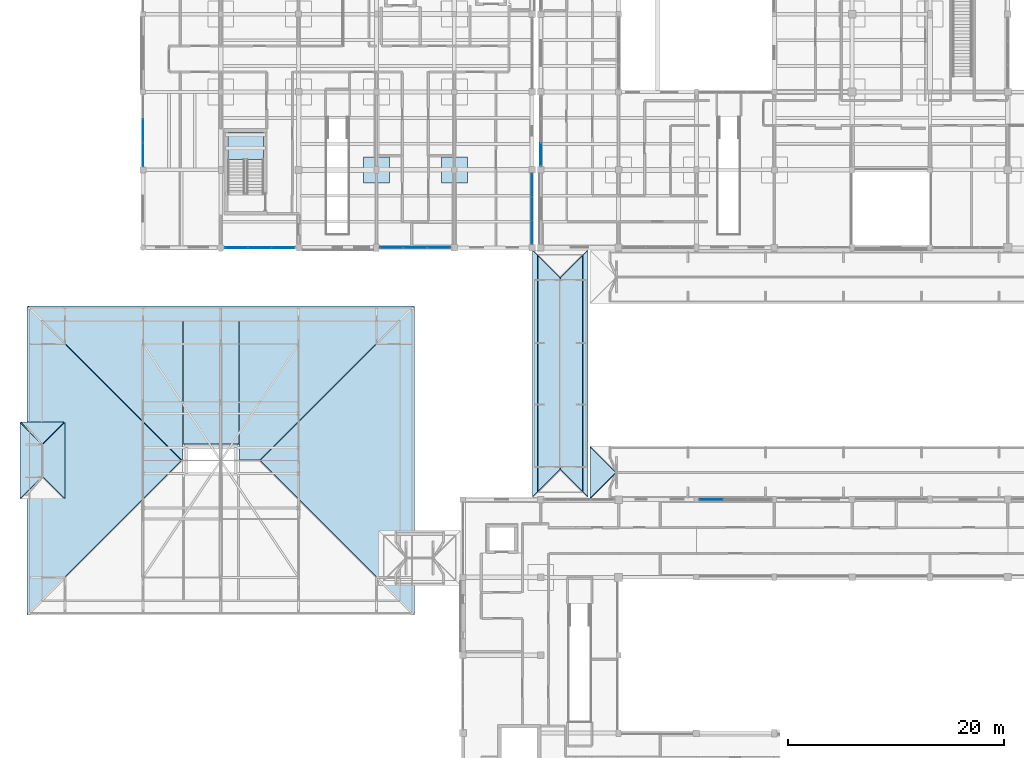
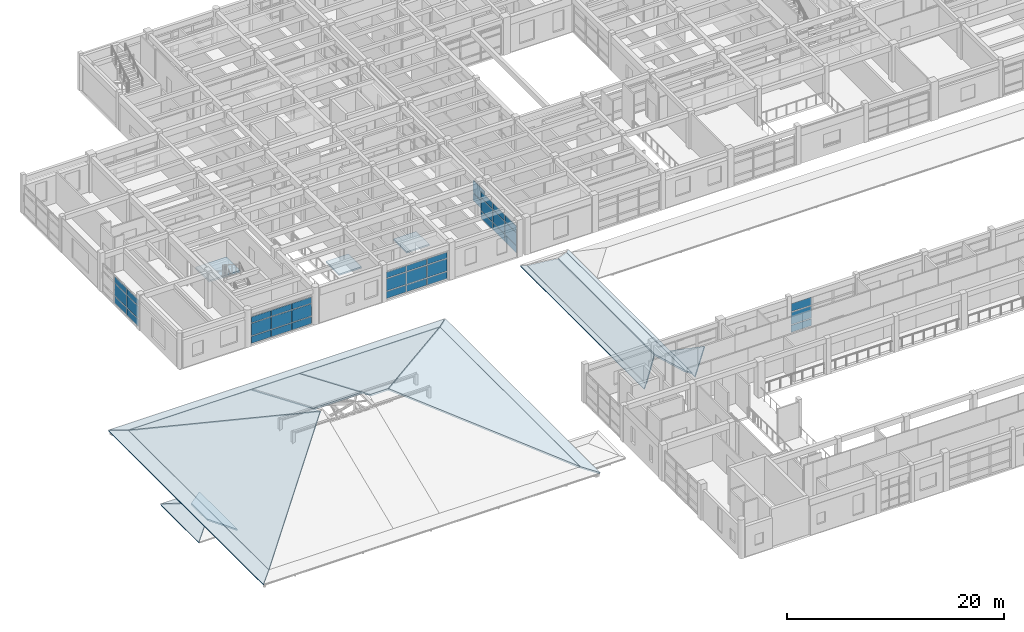
# One storey, part 59 of 110: 38 plates, 19 slabs, 11 elements without a shape of their own.
"""IFC4 building model written with IfcOpenShell, lengths in metres."""

import ifcopenshell
import ifcopenshell.guid

model = None  # the IFC model being written
_history = None  # IfcOwnerHistory: only IFC2X3 demands one
_inside = {}  # id of a spatial element -> (the spatial element, [elements in it])
_under = {}  # id of a project, library or spatial element -> (it, [spatial elements below it])
_declared = {}  # id of a project -> (the project, [libraries it declares])
_typed = {}  # id of a type object -> (the type object, [elements of that type])
_made_of = {}  # id of a material, layer set ... -> (it, [elements and type objects made of it])


def new_model(schema):
    """Start an empty IFC model of exactly this schema.

    Asked for "IFC4X3", IfcOpenShell would pick the latest addendum, in which some entities
    have other attributes; the version numbers below select the first issue.
    IFC2X3 requires an IfcOwnerHistory on every rooted entity: one is made here for all.
    """
    global model, _history
    if schema == "IFC4X3":
        model = ifcopenshell.file(schema_version=(4, 3, 0, 0))
    else:
        model = ifcopenshell.file(schema=schema)
    _inside.clear()
    _under.clear()
    _declared.clear()
    _typed.clear()
    _made_of.clear()
    _history = None
    if model.schema == "IFC2X3":
        org = make("IfcOrganization", Name="unknown")
        user = make(
            "IfcPersonAndOrganization",
            ThePerson=make("IfcPerson", FamilyName="unknown"),
            TheOrganization=org,
        )
        app = make(
            "IfcApplication",
            ApplicationDeveloper=org,
            Version="unknown",
            ApplicationFullName="unknown",
            ApplicationIdentifier="unknown",
        )
        _history = make(
            "IfcOwnerHistory",
            OwningUser=user,
            OwningApplication=app,
            ChangeAction="ADDED",
            CreationDate=0,
        )
    return model


def make(cls, **values):
    """One entity of the class cls with the attributes given. An attribute that is None is left unset."""
    return model.create_entity(
        cls, **{name: value for name, value in values.items() if value is not None}
    )


def rooted(cls, **values):
    """An entity with a GlobalId (a new one), such as an element, a storey or a relation."""
    return make(cls, GlobalId=ifcopenshell.guid.new(), OwnerHistory=_history, **values)


def si_unit(unit_type, name, prefix=None):
    """IfcSIUnit, for example si_unit("LENGTHUNIT", "METRE", prefix="MILLI")."""
    return make("IfcSIUnit", UnitType=unit_type, Prefix=prefix, Name=name)


def assignment(units):
    """IfcUnitAssignment: the units of a project."""
    return None if units is None else make("IfcUnitAssignment", Units=units)


def point(xyz):
    """IfcCartesianPoint."""
    return None if xyz is None else make("IfcCartesianPoint", Coordinates=xyz)


def direction(xyz):
    """IfcDirection."""
    return None if xyz is None else make("IfcDirection", DirectionRatios=xyz)


def frame(location, z_axis=None, x_axis=None):
    """IfcAxis2Placement3D, a coordinate frame: its origin and axes. An axis left out is left unset."""
    return make(
        "IfcAxis2Placement3D",
        Location=point(location),
        Axis=direction(z_axis),
        RefDirection=direction(x_axis),
    )


def frame_2d(location, x_axis=None):
    """IfcAxis2Placement2D, a coordinate frame in the plane: its origin and x axis."""
    return make(
        "IfcAxis2Placement2D", Location=point(location), RefDirection=direction(x_axis)
    )


def origin():
    """The frame at (0, 0, 0) with its axes left unset."""
    return frame((0.0, 0.0, 0.0))


def origin_2d():
    """The frame at (0, 0) in the plane with its x axis left unset."""
    return frame_2d((0.0, 0.0))


def place(relative_to, where):
    """IfcLocalPlacement: puts the frame where relative to a parent placement (None: the world)."""
    return make(
        "IfcLocalPlacement", PlacementRelTo=relative_to, RelativePlacement=where
    )


def context(
    kind, dimensions, precision=None, world=None, true_north=None, identifier=None
):
    """IfcGeometricRepresentationContext, for example the 3D "Model" context."""
    return make(
        "IfcGeometricRepresentationContext",
        ContextIdentifier=identifier,
        ContextType=kind,
        CoordinateSpaceDimension=dimensions,
        Precision=precision,
        WorldCoordinateSystem=world,
        TrueNorth=true_north,
    )


def subcontext(parent, identifier, kind, view, scale=None):
    """IfcGeometricRepresentationSubContext, for example "Body" below "Model"."""
    return make(
        "IfcGeometricRepresentationSubContext",
        ContextIdentifier=identifier,
        ContextType=kind,
        ParentContext=parent,
        TargetScale=scale,
        TargetView=view,
    )


def project(units=None, contexts=None):
    """IfcProject with its units and contexts."""
    return rooted(
        "IfcProject",
        Name="project",
        RepresentationContexts=contexts,
        UnitsInContext=assignment(units),
    )


def spatial(cls, under=None, at=None, **own):
    """A site, building, storey or space (cls), placed at a placement, below another one or the project."""
    s = rooted(cls, ObjectPlacement=at, **own)
    if under is not None:
        _under.setdefault(under.id(), (under, []))[1].append(s)
    return s


def polyline(points):
    """IfcPolyline through the points."""
    return make("IfcPolyline", Points=[point(p) for p in points])


def profile(cls, at=None, kind="AREA", **sizes):
    """A parametric profile (cls). Its sizes go by their IFC names, for example OverallWidth=200.0."""
    return make(cls, ProfileType=kind, Position=at, **sizes)


def rectangle(**sizes):
    """IfcRectangleProfileDef."""
    return profile("IfcRectangleProfileDef", **sizes)


def outline(outer, holes=None, kind="AREA"):
    """IfcArbitraryClosedProfileDef: a profile drawn as a closed curve; with holes, ...WithVoids."""
    if holes is None:
        return make("IfcArbitraryClosedProfileDef", ProfileType=kind, OuterCurve=outer)
    return make(
        "IfcArbitraryProfileDefWithVoids",
        ProfileType=kind,
        OuterCurve=outer,
        InnerCurves=holes,
    )


def extrude(swept, where, along, depth):
    """IfcExtrudedAreaSolid: the profile swept, set in the frame where, extruded along a direction by depth."""
    return make(
        "IfcExtrudedAreaSolid",
        SweptArea=swept,
        Position=where,
        ExtrudedDirection=direction(along),
        Depth=depth,
    )


def shape(context_of_items, identifier, shape_type, items):
    """IfcShapeRepresentation: the items that make up one representation, for example the "Body"."""
    return make(
        "IfcShapeRepresentation",
        ContextOfItems=context_of_items,
        RepresentationIdentifier=identifier,
        RepresentationType=shape_type,
        Items=items,
    )


def material(Name=None, Category=None):
    """IfcMaterial."""
    return make("IfcMaterial", Name=Name, Category=Category)


def layer(
    of_material, thickness, ventilated=None, Name=None, Category=None, Priority=None
):
    """IfcMaterialLayer: one layer of a wall or slab, of a material (None: an air gap)."""
    return make(
        "IfcMaterialLayer",
        Material=of_material,
        LayerThickness=thickness,
        IsVentilated=ventilated,
        Name=Name,
        Category=Category,
        Priority=Priority,
    )


def layer_set(layers, Name=None):
    """IfcMaterialLayerSet."""
    return make("IfcMaterialLayerSet", MaterialLayers=layers, LayerSetName=Name)


def made_of(thing, what):
    """Note that an element or type object is made of a material, layer set ...; save() writes the relation."""
    if what is not None:
        _made_of.setdefault(what.id(), (what, []))[1].append(thing)
    return thing


def type_object(cls, material=None, **own):
    """A type object (cls), such as IfcWallType, which elements share."""
    return made_of(rooted(cls, **own), material)


def element(
    cls,
    number,
    at=None,
    inside=None,
    cuts=None,
    type_object=None,
    material=None,
    context=None,
    identifier="Body",
    shape_type=None,
    held_by="IfcProductDefinitionShape",
    body=None,
    shapes=None,
    **own,
):
    """One element of the class cls, such as IfcWall. Its Tag is "e" and its number.

    at: its placement. inside: the storey or other place that contains it. cuts: it is an
    opening in that element (IfcRelVoidsElement). A single representation is given by context,
    identifier, shape_type and body (its items); several are given by shapes. held_by: the class
    of the entity that holds the representations. save() writes the other relations.
    """
    e = rooted(cls, Tag="e%d" % number, ObjectPlacement=at, **own)
    if body is not None:
        shapes = [shape(context, identifier, shape_type, body)]
    if shapes is not None:
        e.Representation = make(held_by, Representations=shapes)
    if inside is not None:
        _inside.setdefault(inside.id(), (inside, []))[1].append(e)
    if cuts is not None:
        rooted(
            "IfcRelVoidsElement", RelatingBuildingElement=cuts, RelatedOpeningElement=e
        )
    if type_object is not None:
        _typed.setdefault(type_object.id(), (type_object, []))[1].append(e)
    return made_of(e, material)


def aggregate(whole, parts):
    """IfcRelAggregates: a whole, such as a stair, and the parts it consists of."""
    return rooted("IfcRelAggregates", RelatingObject=whole, RelatedObjects=parts)


def save(model, path):
    """Write the relations noted so far, then the file.

    IfcRelAggregates (storeys below a building ...), IfcRelContainedInSpatialStructure (elements
    in a storey), IfcRelDefinesByType, IfcRelAssociatesMaterial and IfcRelDeclares: one each for
    every whole, place, type object, material and project.
    """
    for whole, parts in _under.values():
        aggregate(whole, parts)
    for where, things in _inside.values():
        rooted(
            "IfcRelContainedInSpatialStructure",
            RelatedElements=things,
            RelatingStructure=where,
        )
    for kind, things in _typed.values():
        rooted("IfcRelDefinesByType", RelatedObjects=things, RelatingType=kind)
    for what, things in _made_of.values():
        rooted("IfcRelAssociatesMaterial", RelatedObjects=things, RelatingMaterial=what)
    for by, libraries in _declared.values():
        rooted("IfcRelDeclares", RelatingContext=by, RelatedDefinitions=libraries)
    model.write(path)


model = new_model("IFC4")

# Units and contexts
model_context = context("Model", 3, precision=1e-05, world=origin(), true_north=direction((0.0, 1.0)))
body_context = subcontext(model_context, "Body", "Model", "MODEL_VIEW")
ifc_project = project(units=[si_unit("LENGTHUNIT", "METRE"), si_unit("AREAUNIT", "SQUARE_METRE"), si_unit("VOLUMEUNIT", "CUBIC_METRE"), si_unit("PLANEANGLEUNIT", "RADIAN"), si_unit("MASSUNIT", "GRAM", prefix="KILO")], contexts=[model_context])

# Site, building, storey
site_placement = place(None, origin())
site = spatial("IfcSite", under=ifc_project, at=site_placement, CompositionType="ELEMENT")
building_placement = place(site_placement, origin())
building = spatial("IfcBuilding", under=site, at=building_placement, Name="Steenspoor Specialist Clinic", CompositionType="ELEMENT")
storey_placement = place(building_placement, frame((0.0, 0.0, 4.800048828125)))
storey = spatial("IfcBuildingStorey", under=building, at=storey_placement, Name="L01", CompositionType="ELEMENT", Elevation=4.800048828125)

# Curtain wall, plates
ifc_material_1 = material(Name="Thermally broken aluminium and low-emissivity glass", Category="aluminium")
curtain_wall_type_1 = type_object("IfcCurtainWallType", Name="CW-STR-220X415", PredefinedType="USERDEFINED", material=ifc_material_1)
curtain_wall_1_placement = place(storey_placement, origin())
curtain_wall_1 = element("IfcCurtainWall", 1, at=curtain_wall_1_placement, inside=storey, type_object=curtain_wall_type_1, Name="Unitised Curtain Wall CW-V1-L01-024", ObjectType="UNITISED GLAZING", PredefinedType="USERDEFINED")
ifc_material_2 = material(Name="Double low-emissivity insulated glass", Category="glass")
ifc_layer_1 = layer(ifc_material_2, 0.035888671875)
ifc_layer_set_1 = layer_set([ifc_layer_1], Name="Double low-emissivity insulated glass")
plate_type_1 = type_object("IfcPlateType", Name="CW-PAN-GL36", PredefinedType="CURTAIN_PANEL", material=ifc_layer_set_1)
plate_1_placement = place(storey_placement, frame((68.174072265625, 41.85009765625, 0.08984375), z_axis=(0.0, 0.0, 1.0), x_axis=(1.0, 0.0, 0.0)))
plate_1 = element("IfcPlate", 2, at=plate_1_placement, type_object=plate_type_1, Name="CW-24 panel 1.1", PredefinedType="CURTAIN_PANEL", context=body_context, shape_type="SweptSolid", body=[
    extrude(rectangle(XDim=2.138427734375, YDim=0.035888671875, at=origin_2d()), origin(), (0.0, 0.0, 1.0), 0.764892578125),
])
plate_2_placement = place(storey_placement, frame((68.174072265625, 41.85009765625, 0.94482421875), z_axis=(0.0, 0.0, 1.0), x_axis=(1.0, 0.0, 0.0)))
plate_2 = element("IfcPlate", 3, at=plate_2_placement, type_object=plate_type_1, Name="CW-24 panel 1.2", PredefinedType="CURTAIN_PANEL", context=body_context, shape_type="SweptSolid", body=[
    extrude(rectangle(XDim=2.138427734375, YDim=0.035888671875, at=origin_2d()), origin(), (0.0, 0.0, 1.0), 1.360107421875),
])
plate_3_placement = place(storey_placement, frame((68.174072265625, 41.85009765625, 2.39501953125), z_axis=(0.0, 0.0, 1.0), x_axis=(1.0, 0.0, 0.0)))
plate_3 = element("IfcPlate", 4, at=plate_3_placement, type_object=plate_type_1, Name="CW-24 panel 1.3", PredefinedType="CURTAIN_PANEL", context=body_context, shape_type="SweptSolid", body=[
    extrude(rectangle(XDim=2.138427734375, YDim=0.035888671875, at=origin_2d()), origin(), (0.0, 0.0, 1.0), 0.89501953125),
])
aggregate(curtain_wall_1, [plate_1, plate_2, plate_3])

curtain_wall_type_2 = type_object("IfcCurtainWallType", Name="CW-WLK-520X340", PredefinedType="USERDEFINED", material=ifc_material_1)
curtain_wall_2_placement = place(storey_placement, origin())
curtain_wall_2 = element("IfcCurtainWall", 5, at=curtain_wall_2_placement, inside=storey, type_object=curtain_wall_type_2, Name="Unitised Curtain Wall CW-V5-L01-141", ObjectType="UNITISED GLAZING", PredefinedType="USERDEFINED")
plate_4_placement = place(storey_placement, frame((15.60009765625, 73.753662109375, 0.070068359375), z_axis=(0.0, 0.0, 1.0), x_axis=(0.0, 1.0, 0.0)))
plate_4 = element("IfcPlate", 6, at=plate_4_placement, type_object=plate_type_1, Name="CW-21 panel 1.1", PredefinedType="CURTAIN_PANEL", context=body_context, shape_type="SweptSolid", body=[
    extrude(rectangle(XDim=2.12744140625, YDim=0.035888671875, at=origin_2d()), origin(), (0.0, 0.0, 1.0), 0.794921875),
])
plate_5_placement = place(storey_placement, frame((15.60009765625, 73.753662109375, 0.93505859375), z_axis=(0.0, 0.0, 1.0), x_axis=(0.0, 1.0, 0.0)))
plate_5 = element("IfcPlate", 7, at=plate_5_placement, type_object=plate_type_1, Name="CW-21 panel 1.2", PredefinedType="CURTAIN_PANEL", context=body_context, shape_type="SweptSolid", body=[
    extrude(rectangle(XDim=2.12744140625, YDim=0.035888671875, at=origin_2d()), origin(), (0.0, 0.0, 1.0), 1.3798828125),
])
plate_6_placement = place(storey_placement, frame((15.60009765625, 73.753662109375, 2.384765625), z_axis=(0.0, 0.0, 1.0), x_axis=(0.0, 1.0, 0.0)))
plate_6 = element("IfcPlate", 8, at=plate_6_placement, type_object=plate_type_1, Name="CW-21 panel 1.3", PredefinedType="CURTAIN_PANEL", context=body_context, shape_type="SweptSolid", body=[
    extrude(rectangle(XDim=2.12744140625, YDim=0.035888671875, at=origin_2d()), origin(), (0.0, 0.0, 1.0), 0.675048828125),
])
plate_7_placement = place(storey_placement, frame((15.60009765625, 75.96240234375, 0.070068359375), z_axis=(0.0, 0.0, 1.0), x_axis=(0.0, 1.0, 0.0)))
plate_7 = element("IfcPlate", 9, at=plate_7_placement, type_object=plate_type_1, Name="CW-21 panel 2.1", PredefinedType="CURTAIN_PANEL", context=body_context, shape_type="SweptSolid", body=[
    extrude(rectangle(XDim=2.159912109375, YDim=0.035888671875, at=origin_2d()), origin(), (0.0, 0.0, 1.0), 0.794921875),
])
plate_8_placement = place(storey_placement, frame((15.60009765625, 75.96240234375, 0.93505859375), z_axis=(0.0, 0.0, 1.0), x_axis=(0.0, 1.0, 0.0)))
plate_8 = element("IfcPlate", 10, at=plate_8_placement, type_object=plate_type_1, Name="CW-21 panel 2.2", PredefinedType="CURTAIN_PANEL", context=body_context, shape_type="SweptSolid", body=[
    extrude(rectangle(XDim=2.159912109375, YDim=0.035888671875, at=origin_2d()), origin(), (0.0, 0.0, 1.0), 1.3798828125),
])
plate_9_placement = place(storey_placement, frame((15.60009765625, 75.96240234375, 2.384765625), z_axis=(0.0, 0.0, 1.0), x_axis=(0.0, 1.0, 0.0)))
plate_9 = element("IfcPlate", 11, at=plate_9_placement, type_object=plate_type_1, Name="CW-21 panel 2.3", PredefinedType="CURTAIN_PANEL", context=body_context, shape_type="SweptSolid", body=[
    extrude(rectangle(XDim=2.159912109375, YDim=0.035888671875, at=origin_2d()), origin(), (0.0, 0.0, 1.0), 0.675048828125),
])
aggregate(curtain_wall_2, [plate_4, plate_5, plate_6, plate_7, plate_8, plate_9])

curtain_wall_type_3 = type_object("IfcCurtainWallType", Name="CW-SCR-360X320", PredefinedType="USERDEFINED", material=ifc_material_1)
curtain_wall_3_placement = place(storey_placement, origin())
curtain_wall_3 = element("IfcCurtainWall", 12, at=curtain_wall_3_placement, inside=storey, type_object=curtain_wall_type_3, Name="Unitised Curtain Wall CW-V5-L01-139", ObjectType="UNITISED GLAZING", PredefinedType="USERDEFINED")
ifc_material_3 = material(Name="Triple acoustic laminated low-emissivity glass", Category="glass")
ifc_layer_2 = layer(ifc_material_3, 0.048095703125)
ifc_layer_set_2 = layer_set([ifc_layer_2], Name="Triple acoustic laminated low-emissivity glass")
plate_type_2 = type_object("IfcPlateType", Name="CW-PAN-GL48", PredefinedType="CURTAIN_PANEL", material=ifc_layer_set_2)
plate_10_placement = place(storey_placement, frame((42.9716796875, 65.14990234375, 0.08984375), z_axis=(0.0, 0.0, 1.0), x_axis=(-1.0, 0.0, 0.0)))
plate_10 = element("IfcPlate", 13, at=plate_10_placement, type_object=plate_type_2, Name="CW-19 panel 1.1", PredefinedType="CURTAIN_PANEL", context=body_context, shape_type="SweptSolid", body=[
    extrude(rectangle(XDim=2.0966796875, YDim=0.048095703125, at=origin_2d()), origin(), (0.0, 0.0, 1.0), 0.764892578125),
])
plate_11_placement = place(storey_placement, frame((42.9716796875, 65.14990234375, 0.94482421875), z_axis=(0.0, 0.0, 1.0), x_axis=(-1.0, 0.0, 0.0)))
plate_11 = element("IfcPlate", 14, at=plate_11_placement, type_object=plate_type_2, Name="CW-19 panel 1.2", PredefinedType="CURTAIN_PANEL", context=body_context, shape_type="SweptSolid", body=[
    extrude(rectangle(XDim=2.0966796875, YDim=0.048095703125, at=origin_2d()), origin(), (0.0, 0.0, 1.0), 1.360107421875),
])
plate_12_placement = place(storey_placement, frame((42.9716796875, 65.14990234375, 2.39501953125), z_axis=(0.0, 0.0, 1.0), x_axis=(-1.0, 0.0, 0.0)))
plate_12 = element("IfcPlate", 15, at=plate_12_placement, type_object=plate_type_2, Name="CW-19 panel 1.3", PredefinedType="CURTAIN_PANEL", context=body_context, shape_type="SweptSolid", body=[
    extrude(rectangle(XDim=2.0966796875, YDim=0.048095703125, at=origin_2d()), origin(), (0.0, 0.0, 1.0), 0.64501953125),
])
plate_13_placement = place(storey_placement, frame((40.77490234375, 65.14990234375, 0.08984375), z_axis=(0.0, 0.0, 1.0), x_axis=(-1.0, 0.0, 0.0)))
plate_13 = element("IfcPlate", 16, at=plate_13_placement, type_object=plate_type_2, Name="CW-19 panel 2.1", PredefinedType="CURTAIN_PANEL", context=body_context, shape_type="SweptSolid", body=[
    extrude(rectangle(XDim=2.13671875, YDim=0.048095703125, at=origin_2d()), origin(), (0.0, 0.0, 1.0), 0.764892578125),
])
plate_14_placement = place(storey_placement, frame((40.77490234375, 65.14990234375, 0.94482421875), z_axis=(0.0, 0.0, 1.0), x_axis=(-1.0, 0.0, 0.0)))
plate_14 = element("IfcPlate", 17, at=plate_14_placement, type_object=plate_type_2, Name="CW-19 panel 2.2", PredefinedType="CURTAIN_PANEL", context=body_context, shape_type="SweptSolid", body=[
    extrude(rectangle(XDim=2.13671875, YDim=0.048095703125, at=origin_2d()), origin(), (0.0, 0.0, 1.0), 1.360107421875),
])
plate_15_placement = place(storey_placement, frame((40.77490234375, 65.14990234375, 2.39501953125), z_axis=(0.0, 0.0, 1.0), x_axis=(-1.0, 0.0, 0.0)))
plate_15 = element("IfcPlate", 18, at=plate_15_placement, type_object=plate_type_2, Name="CW-19 panel 2.3", PredefinedType="CURTAIN_PANEL", context=body_context, shape_type="SweptSolid", body=[
    extrude(rectangle(XDim=2.13671875, YDim=0.048095703125, at=origin_2d()), origin(), (0.0, 0.0, 1.0), 0.64501953125),
])
plate_16_placement = place(storey_placement, frame((38.578369140625, 65.14990234375, 0.08984375), z_axis=(0.0, 0.0, 1.0), x_axis=(-1.0, 0.0, 0.0)))
plate_16 = element("IfcPlate", 19, at=plate_16_placement, type_object=plate_type_2, Name="CW-19 panel 3.1", PredefinedType="CURTAIN_PANEL", context=body_context, shape_type="SweptSolid", body=[
    extrude(rectangle(XDim=2.0966796875, YDim=0.048095703125, at=origin_2d()), origin(), (0.0, 0.0, 1.0), 0.764892578125),
])
plate_17_placement = place(storey_placement, frame((38.578369140625, 65.14990234375, 0.94482421875), z_axis=(0.0, 0.0, 1.0), x_axis=(-1.0, 0.0, 0.0)))
plate_17 = element("IfcPlate", 20, at=plate_17_placement, type_object=plate_type_2, Name="CW-19 panel 3.2", PredefinedType="CURTAIN_PANEL", context=body_context, shape_type="SweptSolid", body=[
    extrude(rectangle(XDim=2.0966796875, YDim=0.048095703125, at=origin_2d()), origin(), (0.0, 0.0, 1.0), 1.360107421875),
])
plate_18_placement = place(storey_placement, frame((38.578369140625, 65.14990234375, 2.39501953125), z_axis=(0.0, 0.0, 1.0), x_axis=(-1.0, 0.0, 0.0)))
plate_18 = element("IfcPlate", 21, at=plate_18_placement, type_object=plate_type_2, Name="CW-19 panel 3.3", PredefinedType="CURTAIN_PANEL", context=body_context, shape_type="SweptSolid", body=[
    extrude(rectangle(XDim=2.0966796875, YDim=0.048095703125, at=origin_2d()), origin(), (0.0, 0.0, 1.0), 0.64501953125),
])
aggregate(curtain_wall_3, [plate_10, plate_11, plate_12, plate_13, plate_14, plate_15, plate_16, plate_17, plate_18])

curtain_wall_type_4 = type_object("IfcCurtainWallType", Name="CW-L00-660X415", PredefinedType="USERDEFINED", material=ifc_material_1)
curtain_wall_4_placement = place(storey_placement, origin())
curtain_wall_4 = element("IfcCurtainWall", 22, at=curtain_wall_4_placement, inside=storey, type_object=curtain_wall_type_4, Name="Unitised Curtain Wall CW-V5-L01-148", ObjectType="UNITISED GLAZING", PredefinedType="USERDEFINED")
plate_19_placement = place(storey_placement, frame((51.60009765625, 70.93505859375, 0.059814453125), z_axis=(0.0, 0.0, 1.0), x_axis=(0.0, -1.0, 0.0)))
plate_19 = element("IfcPlate", 23, at=plate_19_placement, type_object=plate_type_2, Name="CW-04 panel 1.1", PredefinedType="CURTAIN_PANEL", context=body_context, shape_type="SweptSolid", body=[
    extrude(rectangle(XDim=2.110107421875, YDim=0.048095703125, at=origin_2d()), origin(), (0.0, 0.0, 1.0), 0.81005859375),
])
plate_20_placement = place(storey_placement, frame((51.60009765625, 70.93505859375, 0.93017578125), z_axis=(0.0, 0.0, 1.0), x_axis=(0.0, -1.0, 0.0)))
plate_20 = element("IfcPlate", 24, at=plate_20_placement, type_object=plate_type_2, Name="CW-04 panel 1.2", PredefinedType="CURTAIN_PANEL", context=body_context, shape_type="SweptSolid", body=[
    extrude(rectangle(XDim=2.110107421875, YDim=0.048095703125, at=origin_2d()), origin(), (0.0, 0.0, 1.0), 1.389892578125),
])
plate_21_placement = place(storey_placement, frame((51.60009765625, 70.93505859375, 2.3798828125), z_axis=(0.0, 0.0, 1.0), x_axis=(0.0, -1.0, 0.0)))
plate_21 = element("IfcPlate", 25, at=plate_21_placement, type_object=plate_type_2, Name="CW-04 panel 1.3", PredefinedType="CURTAIN_PANEL", context=body_context, shape_type="SweptSolid", body=[
    extrude(rectangle(XDim=2.110107421875, YDim=0.048095703125, at=origin_2d()), origin(), (0.0, 0.0, 1.0), 0.68994140625),
])
plate_22_placement = place(storey_placement, frame((51.60009765625, 68.75, 0.059814453125), z_axis=(0.0, 0.0, 1.0), x_axis=(0.0, -1.0, 0.0)))
plate_22 = element("IfcPlate", 26, at=plate_22_placement, type_object=plate_type_2, Name="CW-04 panel 2.1", PredefinedType="CURTAIN_PANEL", context=body_context, shape_type="SweptSolid", body=[
    extrude(rectangle(XDim=2.139892578125, YDim=0.048095703125, at=origin_2d()), origin(), (0.0, 0.0, 1.0), 0.81005859375),
])
plate_23_placement = place(storey_placement, frame((51.60009765625, 68.75, 0.93017578125), z_axis=(0.0, 0.0, 1.0), x_axis=(0.0, -1.0, 0.0)))
plate_23 = element("IfcPlate", 27, at=plate_23_placement, type_object=plate_type_2, Name="CW-04 panel 2.2", PredefinedType="CURTAIN_PANEL", context=body_context, shape_type="SweptSolid", body=[
    extrude(rectangle(XDim=2.139892578125, YDim=0.048095703125, at=origin_2d()), origin(), (0.0, 0.0, 1.0), 1.389892578125),
])
plate_24_placement = place(storey_placement, frame((51.60009765625, 68.75, 2.3798828125), z_axis=(0.0, 0.0, 1.0), x_axis=(0.0, -1.0, 0.0)))
plate_24 = element("IfcPlate", 28, at=plate_24_placement, type_object=plate_type_2, Name="CW-04 panel 2.3", PredefinedType="CURTAIN_PANEL", context=body_context, shape_type="SweptSolid", body=[
    extrude(rectangle(XDim=2.139892578125, YDim=0.048095703125, at=origin_2d()), origin(), (0.0, 0.0, 1.0), 0.68994140625),
])
plate_25_placement = place(storey_placement, frame((51.60009765625, 66.56494140625, 0.059814453125), z_axis=(0.0, 0.0, 1.0), x_axis=(0.0, -1.0, 0.0)))
plate_25 = element("IfcPlate", 29, at=plate_25_placement, type_object=plate_type_2, Name="CW-04 panel 3.1", PredefinedType="CURTAIN_PANEL", context=body_context, shape_type="SweptSolid", body=[
    extrude(rectangle(XDim=2.110107421875, YDim=0.048095703125, at=origin_2d()), origin(), (0.0, 0.0, 1.0), 0.81005859375),
])
plate_26_placement = place(storey_placement, frame((51.60009765625, 66.56494140625, 0.93017578125), z_axis=(0.0, 0.0, 1.0), x_axis=(0.0, -1.0, 0.0)))
plate_26 = element("IfcPlate", 30, at=plate_26_placement, type_object=plate_type_2, Name="CW-04 panel 3.2", PredefinedType="CURTAIN_PANEL", context=body_context, shape_type="SweptSolid", body=[
    extrude(rectangle(XDim=2.110107421875, YDim=0.048095703125, at=origin_2d()), origin(), (0.0, 0.0, 1.0), 1.389892578125),
])
plate_27_placement = place(storey_placement, frame((51.60009765625, 66.56494140625, 2.3798828125), z_axis=(0.0, 0.0, 1.0), x_axis=(0.0, -1.0, 0.0)))
plate_27 = element("IfcPlate", 31, at=plate_27_placement, type_object=plate_type_2, Name="CW-04 panel 3.3", PredefinedType="CURTAIN_PANEL", context=body_context, shape_type="SweptSolid", body=[
    extrude(rectangle(XDim=2.110107421875, YDim=0.048095703125, at=origin_2d()), origin(), (0.0, 0.0, 1.0), 0.68994140625),
])
aggregate(curtain_wall_4, [plate_19, plate_20, plate_21, plate_22, plate_23, plate_24, plate_25, plate_26, plate_27])

curtain_wall_type_5 = type_object("IfcCurtainWallType", Name="CW-SCR-660X320", PredefinedType="USERDEFINED", material=ifc_material_1)
curtain_wall_5_placement = place(storey_placement, origin())
curtain_wall_5 = element("IfcCurtainWall", 32, at=curtain_wall_5_placement, inside=storey, type_object=curtain_wall_type_5, Name="Unitised Curtain Wall CW-V4-L01-065", ObjectType="UNITISED GLAZING", PredefinedType="USERDEFINED")
ifc_material_4 = material(Name="Insulated glazed ceramic spandrel panel", Category="glass")
ifc_layer_3 = layer(ifc_material_4, 0.074951171875)
ifc_layer_set_3 = layer_set([ifc_layer_3], Name="Insulated glazed ceramic spandrel panel")
plate_type_3 = type_object("IfcPlateType", Name="CW-PAN-SP75", PredefinedType="CURTAIN_PANEL", material=ifc_layer_set_3)
plate_28_placement = place(storey_placement, frame((52.39990234375, 73.7724609375, 0.080078125), z_axis=(0.0, 0.0, 1.0), x_axis=(0.0, 1.0, 0.0)))
plate_28 = element("IfcPlate", 33, at=plate_28_placement, type_object=plate_type_3, Name="CW-17 panel 1.1", PredefinedType="CURTAIN_PANEL", context=body_context, shape_type="SweptSolid", body=[
    extrude(rectangle(XDim=2.06494140625, YDim=0.074951171875, at=origin_2d()), origin(), (0.0, 0.0, 1.0), 0.780029296875),
])
plate_29_placement = place(storey_placement, frame((52.39990234375, 73.7724609375, 0.93994140625), z_axis=(0.0, 0.0, 1.0), x_axis=(0.0, 1.0, 0.0)))
plate_29 = element("IfcPlate", 34, at=plate_29_placement, type_object=plate_type_3, Name="CW-17 panel 1.2", PredefinedType="CURTAIN_PANEL", context=body_context, shape_type="SweptSolid", body=[
    extrude(rectangle(XDim=2.06494140625, YDim=0.074951171875, at=origin_2d()), origin(), (0.0, 0.0, 1.0), 1.3701171875),
])
aggregate(curtain_wall_5, [plate_28, plate_29])

curtain_wall_type_6 = type_object("IfcCurtainWallType", Name="CW-WLK-640X340", PredefinedType="USERDEFINED", material=ifc_material_1)
curtain_wall_6_placement = place(storey_placement, origin())
curtain_wall_6 = element("IfcCurtainWall", 35, at=curtain_wall_6_placement, inside=storey, type_object=curtain_wall_type_6, Name="Unitised Curtain Wall CW-V5-L01-140", ObjectType="UNITISED GLAZING", PredefinedType="USERDEFINED")
plate_30_placement = place(storey_placement, frame((28.570068359375, 65.14990234375, 0.080078125), z_axis=(0.0, 0.0, 1.0), x_axis=(-1.0, 0.0, 0.0)))
plate_30 = element("IfcPlate", 36, at=plate_30_placement, type_object=plate_type_3, Name="CW-20 panel 1.1", PredefinedType="CURTAIN_PANEL", context=body_context, shape_type="SweptSolid", body=[
    extrude(rectangle(XDim=2.070068359375, YDim=0.074951171875, at=origin_2d()), origin(), (0.0, 0.0, 1.0), 0.780029296875),
])
plate_31_placement = place(storey_placement, frame((28.570068359375, 65.14990234375, 0.93994140625), z_axis=(0.0, 0.0, 1.0), x_axis=(-1.0, 0.0, 0.0)))
plate_31 = element("IfcPlate", 37, at=plate_31_placement, type_object=plate_type_3, Name="CW-20 panel 1.2", PredefinedType="CURTAIN_PANEL", context=body_context, shape_type="SweptSolid", body=[
    extrude(rectangle(XDim=2.070068359375, YDim=0.074951171875, at=origin_2d()), origin(), (0.0, 0.0, 1.0), 1.3701171875),
])
plate_32_placement = place(storey_placement, frame((28.570068359375, 65.14990234375, 2.39013671875), z_axis=(0.0, 0.0, 1.0), x_axis=(-1.0, 0.0, 0.0)))
plate_32 = element("IfcPlate", 38, at=plate_32_placement, type_object=plate_type_3, Name="CW-20 panel 1.3", PredefinedType="CURTAIN_PANEL", context=body_context, shape_type="SweptSolid", body=[
    extrude(rectangle(XDim=2.070068359375, YDim=0.074951171875, at=origin_2d()), origin(), (0.0, 0.0, 1.0), 0.659912109375),
])
plate_33_placement = place(storey_placement, frame((26.41259765625, 65.14990234375, 0.080078125), z_axis=(0.0, 0.0, 1.0), x_axis=(-1.0, 0.0, 0.0)))
plate_33 = element("IfcPlate", 39, at=plate_33_placement, type_object=plate_type_3, Name="CW-20 panel 2.1", PredefinedType="CURTAIN_PANEL", context=body_context, shape_type="SweptSolid", body=[
    extrude(rectangle(XDim=2.10498046875, YDim=0.074951171875, at=origin_2d()), origin(), (0.0, 0.0, 1.0), 0.780029296875),
])
plate_34_placement = place(storey_placement, frame((26.41259765625, 65.14990234375, 0.93994140625), z_axis=(0.0, 0.0, 1.0), x_axis=(-1.0, 0.0, 0.0)))
plate_34 = element("IfcPlate", 40, at=plate_34_placement, type_object=plate_type_3, Name="CW-20 panel 2.2", PredefinedType="CURTAIN_PANEL", context=body_context, shape_type="SweptSolid", body=[
    extrude(rectangle(XDim=2.10498046875, YDim=0.074951171875, at=origin_2d()), origin(), (0.0, 0.0, 1.0), 1.3701171875),
])
plate_35_placement = place(storey_placement, frame((26.41259765625, 65.14990234375, 2.39013671875), z_axis=(0.0, 0.0, 1.0), x_axis=(-1.0, 0.0, 0.0)))
plate_35 = element("IfcPlate", 41, at=plate_35_placement, type_object=plate_type_3, Name="CW-20 panel 2.3", PredefinedType="CURTAIN_PANEL", context=body_context, shape_type="SweptSolid", body=[
    extrude(rectangle(XDim=2.10498046875, YDim=0.074951171875, at=origin_2d()), origin(), (0.0, 0.0, 1.0), 0.659912109375),
])
plate_36_placement = place(storey_placement, frame((24.2548828125, 65.14990234375, 0.080078125), z_axis=(0.0, 0.0, 1.0), x_axis=(-1.0, 0.0, 0.0)))
plate_36 = element("IfcPlate", 42, at=plate_36_placement, type_object=plate_type_3, Name="CW-20 panel 3.1", PredefinedType="CURTAIN_PANEL", context=body_context, shape_type="SweptSolid", body=[
    extrude(rectangle(XDim=2.070068359375, YDim=0.074951171875, at=origin_2d()), origin(), (0.0, 0.0, 1.0), 0.780029296875),
])
plate_37_placement = place(storey_placement, frame((24.2548828125, 65.14990234375, 0.93994140625), z_axis=(0.0, 0.0, 1.0), x_axis=(-1.0, 0.0, 0.0)))
plate_37 = element("IfcPlate", 43, at=plate_37_placement, type_object=plate_type_3, Name="CW-20 panel 3.2", PredefinedType="CURTAIN_PANEL", context=body_context, shape_type="SweptSolid", body=[
    extrude(rectangle(XDim=2.070068359375, YDim=0.074951171875, at=origin_2d()), origin(), (0.0, 0.0, 1.0), 1.3701171875),
])
plate_38_placement = place(storey_placement, frame((24.2548828125, 65.14990234375, 2.39013671875), z_axis=(0.0, 0.0, 1.0), x_axis=(-1.0, 0.0, 0.0)))
plate_38 = element("IfcPlate", 44, at=plate_38_placement, type_object=plate_type_3, Name="CW-20 panel 3.3", PredefinedType="CURTAIN_PANEL", context=body_context, shape_type="SweptSolid", body=[
    extrude(rectangle(XDim=2.070068359375, YDim=0.074951171875, at=origin_2d()), origin(), (0.0, 0.0, 1.0), 0.659912109375),
])
aggregate(curtain_wall_6, [plate_30, plate_31, plate_32, plate_33, plate_34, plate_35, plate_36, plate_37, plate_38])

# Slabs
ifc_material_5 = material(Name="Concrete C35/45", Category="concrete")
ifc_layer_4 = layer(ifc_material_5, 0.169921875)
ifc_layer_set_4 = layer_set([ifc_layer_4], Name="Concrete C35/45")
slab_type_1 = type_object("IfcSlabType", Name="SL-DROP-170", PredefinedType="USERDEFINED", material=ifc_layer_set_4)
slab_1_placement = place(storey_placement, frame((0.0, 0.0, -0.449951171875)))
element("IfcSlab", 45, at=slab_1_placement, inside=storey, type_object=slab_type_1, Name="Column Drop Panel DROP-V5-L01-098", ObjectType="DROP PANEL", PredefinedType="USERDEFINED", context=body_context, shape_type="SweptSolid", body=[
    extrude(outline(polyline([(38.39990234375, 71.14990234375), (38.39990234375, 73.550048828125), (36.0, 73.550048828125), (36.0, 71.14990234375), (38.39990234375, 71.14990234375)])), origin(), (0.0, 0.0, 1.0), 0.169921875),
])
slab_2_placement = place(storey_placement, frame((0.0, 0.0, -0.449951171875)))
element("IfcSlab", 46, at=slab_2_placement, inside=storey, type_object=slab_type_1, Name="Column Drop Panel DROP-V5-L01-102", ObjectType="DROP PANEL", PredefinedType="USERDEFINED", context=body_context, shape_type="SweptSolid", body=[
    extrude(outline(polyline([(45.60009765625, 71.14990234375), (45.60009765625, 73.550048828125), (43.199951171875, 73.550048828125), (43.199951171875, 71.14990234375), (45.60009765625, 71.14990234375)])), origin(), (0.0, 0.0, 1.0), 0.169921875),
])

# Stair, slab
stair_type = type_object("IfcStairType", Name="ST-CORE-TYP", PredefinedType="HALF_TURN_STAIR", material=ifc_material_5)
stair_placement = place(storey_placement, origin())
stair = element("IfcStair", 47, at=stair_placement, inside=storey, type_object=stair_type, Name="L01 Enclosed Exit Stair ST-V5B", PredefinedType="HALF_TURN_STAIR")
ifc_layer_5 = layer(ifc_material_5, 0.199951171875)
ifc_layer_set_5 = layer_set([ifc_layer_5], Name="Concrete C35/45")
slab_type_2 = type_object("IfcSlabType", Name="SL-LAND-200", PredefinedType="LANDING", material=ifc_layer_set_5)
slab_3_placement = place(storey_placement, frame((0.0, 0.0, 1.89990234375)))
slab_3 = element("IfcSlab", 48, at=slab_3_placement, type_object=slab_type_2, Name="ST-V5B landing 1", PredefinedType="LANDING", context=body_context, shape_type="SweptSolid", body=[
    extrude(outline(polyline([(26.75, 73.284912109375), (26.75, 75.800048828125), (23.449951171875, 75.800048828125), (23.449951171875, 73.284912109375), (26.75, 73.284912109375)])), origin(), (0.0, 0.0, 1.0), 0.199951171875),
])
aggregate(stair, [slab_3])

# Roof, slabs
ifc_material_6 = material(Name="Extruded terracotta clay roof tile", Category="masonry")
roof_type = type_object("IfcRoofType", Name="ROOF-HIP-TIER", PredefinedType="HIP_ROOF", material=ifc_material_6)
roof_1_placement = place(storey_placement, origin())
roof_1 = element("IfcRoof", 49, at=roof_1_placement, inside=storey, type_object=roof_type, Name="Tiered Hipped Roof V3", PredefinedType="HIP_ROOF")
ifc_layer_6 = layer(ifc_material_5, 0.14990234375)
ifc_layer_set_6 = layer_set([ifc_layer_6], Name="Concrete C35/45")
slab_type_3 = type_object("IfcSlabType", Name="SL-ROOF-150", PredefinedType="ROOF", material=ifc_layer_set_6)
slab_4_placement = place(storey_placement, frame((39.299560546875, 58.408935546875, 0.33447265625), z_axis=(0.0, 0.241995280227, 0.970277426486), x_axis=(0.696360507135, 0.696360507135, -0.173678116653)))
slab_4 = element("IfcSlab", 50, at=slab_4_placement, type_object=slab_type_3, Name="Hipped Roof Slab RSLAB-V3-SKN", PredefinedType="ROOF", context=body_context, shape_type="SweptSolid", body=[
    extrude(outline(polyline([(0.0, 0.0), (1.9258192263683114, -5.551115123125783e-17), (-22.921126114902, 25.60808348521657), (-22.9793867058009, 23.68331580074785), (0.0, 0.0)])), origin(), (0.0, 0.0, -1.0), 0.14990234375),
])
slab_5_placement = place(storey_placement, frame((6.240966796875, 58.349609375, 0.33447265625), z_axis=(-0.241995280227, 0.0, 0.970277426486), x_axis=(-0.696360507135, 0.696360507135, -0.173678116653)))
slab_5 = element("IfcSlab", 51, at=slab_5_placement, type_object=slab_type_3, Name="Hipped Roof Slab RSLAB-V3-SKW", PredefinedType="ROOF", context=body_context, shape_type="SweptSolid", body=[
    extrude(outline(polyline([(0.0, 0.0), (1.9258192263683114, -5.551115123125783e-17), (-17.907364465504788, 20.44073493877441), (-17.965625056403685, 18.515967254305686), (0.0, 0.0)])), origin(), (0.0, 0.0, -1.0), 0.14990234375),
])
slab_6_placement = place(storey_placement, frame((39.35888671875, 32.55029296875, 0.33447265625), z_axis=(0.241995280227, 0.0, 0.970277426486), x_axis=(0.696421983868, -0.696295200328, -0.173693449463)))
slab_6 = element("IfcSlab", 52, at=slab_6_placement, type_object=slab_type_3, Name="Hipped Roof Slab RSLAB-V3-SKE", PredefinedType="ROOF", context=body_context, shape_type="SweptSolid", body=[
    extrude(outline(polyline([(0.0, 0.0), (1.9256492244505445, -5.551115123125783e-17), (-17.905674451098534, 20.442539506343643), (-17.963940185411953, 18.517601897782065), (0.0, 0.0)])), origin(), (0.0, 0.0, -1.0), 0.14990234375),
])
slab_7_placement = place(storey_placement, frame((19.248046875, 58.39111328125, 0.34033203125), z_axis=(0.0, 0.388703975029, 0.921362697203), x_axis=(-1.0, 0.0, 0.0)))
slab_7 = element("IfcSlab", 53, at=slab_7_placement, type_object=slab_type_3, Name="Hipped Roof Slab RSLAB-V3-N1", PredefinedType="ROOF", context=body_context, shape_type="SweptSolid", body=[
    extrude(outline(polyline([(0.0, 0.0), (12.9296875, 0.0), (0.03076171875, 14.000100026880284), (0.0, 14.000100026880284), (0.0, 0.0)])), origin(), (0.0, 0.0, -1.0), 0.14990234375),
])
slab_8_placement = place(storey_placement, frame((39.281494140625, 58.39111328125, 0.34033203125), z_axis=(0.0, 0.388703975029, 0.921362697203), x_axis=(-1.0, 0.0, 0.0)))
slab_8 = element("IfcSlab", 54, at=slab_8_placement, type_object=slab_type_3, Name="Hipped Roof Slab RSLAB-V3-N2", PredefinedType="ROOF", context=body_context, shape_type="SweptSolid", body=[
    extrude(outline(polyline([(0.0, 0.0), (14.7294921875, 0.0), (14.7294921875, 14.000100026880284), (12.89892578125, 14.000100026880284), (0.0, 0.0)])), origin(), (0.0, 0.0, -1.0), 0.14990234375),
])
slab_9_placement = place(storey_placement, frame((24.468017578125, 58.39111328125, 0.34033203125), z_axis=(0.0, 0.388709412551, 0.921360403205), x_axis=(-1.0, 0.0, 0.0)))
slab_9 = element("IfcSlab", 55, at=slab_9_placement, type_object=slab_type_3, Name="Hipped Roof Slab RSLAB-V3-N3", PredefinedType="ROOF", context=body_context, shape_type="SweptSolid", body=[
    extrude(outline(polyline([(0.0, 0.0), (5.135986328125, 0.0), (5.135986328125, 12.361243349104967), (0.0, 12.361243349104967), (0.0, 0.0)])), origin(), (0.0, 0.0, -1.0), 0.14990234375),
])
slab_10_placement = place(storey_placement, frame((19.140625, 45.449951171875, 5.77490234375), z_axis=(-0.388709538704, 0.0, 0.921360349983), x_axis=(-0.677598182965, 0.677598182965, -0.285869559214)))
slab_10 = element("IfcSlab", 56, at=slab_10_placement, type_object=slab_type_3, Name="Hipped Roof Slab RSLAB-V3-W", PredefinedType="ROOF", context=body_context, shape_type="SweptSolid", body=[
    extrude(outline(polyline([(0.0, 0.0), (19.010664610269178, -1.7763568394002505e-15), (1.5535782197510541, 18.94707797100271), (0.0, 0.0)])), origin(), (0.0, 0.0, -1.0), 0.14990234375),
])
slab_11_placement = place(storey_placement, frame((26.45947265625, 45.449951171875, 5.77490234375), z_axis=(0.388709538704, 0.0, 0.921360349983), x_axis=(0.677598182965, -0.677598182965, -0.285869559214)))
slab_11 = element("IfcSlab", 57, at=slab_11_placement, type_object=slab_type_3, Name="Hipped Roof Slab RSLAB-V3-E", PredefinedType="ROOF", context=body_context, shape_type="SweptSolid", body=[
    extrude(outline(polyline([(0.0, 0.0), (19.010664610269178, -1.7763568394002505e-15), (1.5535782197510541, 18.94707797100271), (0.0, 0.0)])), origin(), (0.0, 0.0, -1.0), 0.14990234375),
])
aggregate(roof_1, [slab_4, slab_5, slab_6, slab_7, slab_8, slab_9, slab_10, slab_11])

roof_2_placement = place(storey_placement, origin())
roof_2 = element("IfcRoof", 58, at=roof_2_placement, inside=storey, type_object=roof_type, Name="Tiered Hipped Roof WK1", PredefinedType="HIP_ROOF")
slab_12_placement = place(storey_placement, frame((52.091064453125, 64.44970703125, -0.89013671875), z_axis=(-0.241651049809, 0.0, 0.970363215567), x_axis=(-0.696579139828, 0.696193650542, -0.173470178707)))
slab_12 = element("IfcSlab", 59, at=slab_12_placement, type_object=slab_type_3, Name="Hipped Roof Slab RSLAB-WK1-SKW", PredefinedType="ROOF", context=body_context, shape_type="SweptSolid", body=[
    extrude(outline(polyline([(0.0, 0.0), (0.6333266159588132, 4.5102810375396984e-17), (-15.226834985459131, 16.353612002839245), (-15.246233020910383, 15.72058252587749), (0.0, 0.0)])), origin(), (0.0, 0.0, -1.0), 0.14990234375),
])
slab_13_placement = place(storey_placement, frame((56.30908203125, 42.55029296875, -0.89013671875), z_axis=(0.241777034717, 0.0, 0.970331832665), x_axis=(0.696380618666, -0.696380618666, -0.173516765448)))
slab_13 = element("IfcSlab", 60, at=slab_13_placement, type_object=slab_type_3, Name="Hipped Roof Slab RSLAB-WK1-SKE", PredefinedType="ROOF", context=body_context, shape_type="SweptSolid", body=[
    extrude(outline(polyline([(0.0, 0.0), (0.6331565769225402, -1.3877787807814457e-17), (-15.231264392070718, 16.34948007983946), (-15.250327513274769, 15.71661054485596), (0.0, 0.0)])), origin(), (0.0, 0.0, -1.0), 0.14990234375),
])
slab_14_placement = place(storey_placement, frame((52.10888671875, 42.568359375, -0.882080078125), z_axis=(-0.537233079145, 0.0, 0.8434338259), x_axis=(0.644729748907, 0.644729748907, 0.410666655267)))
slab_14 = element("IfcSlab", 61, at=slab_14_placement, type_object=slab_type_3, Name="Hipped Roof Slab RSLAB-WK1-W", PredefinedType="ROOF", context=body_context, shape_type="SweptSolid", body=[
    extrude(outline(polyline([(0.0, 0.0), (3.1781878672395516, 1.1102230246251565e-16), (14.631900003219833, 13.579858649558085), (14.095907830598167, 16.712523730660276), (0.0, 0.0)])), origin(), (0.0, 0.0, -1.0), 0.14990234375),
])
slab_15_placement = place(storey_placement, frame((56.291015625, 64.431640625, -0.882080078125), z_axis=(0.537233079145, 0.0, 0.8434338259), x_axis=(-0.644729748907, -0.644729748907, 0.410666655267)))
slab_15 = element("IfcSlab", 62, at=slab_15_placement, type_object=slab_type_3, Name="Hipped Roof Slab RSLAB-WK1-E", PredefinedType="ROOF", context=body_context, shape_type="SweptSolid", body=[
    extrude(outline(polyline([(0.0, 0.0), (3.1781878672395516, 1.1102230246251565e-16), (14.631900003219833, 13.579858649558085), (14.095907830598167, 16.712523730660276), (0.0, 0.0)])), origin(), (0.0, 0.0, -1.0), 0.14990234375),
])
aggregate(roof_2, [slab_12, slab_13, slab_14, slab_15])

# Roof, slab
roof_3_placement = place(storey_placement, origin())
roof_3 = element("IfcRoof", 63, at=roof_3_placement, inside=storey, type_object=roof_type, Name="Tiered Hipped Roof WK5", PredefinedType="HIP_ROOF")
slab_16_placement = place(storey_placement, frame((59.340576171875, 44.35009765625, -0.27783203125), z_axis=(-0.424964337764, 0.0, 0.905210092536), x_axis=(-0.671126879128, 0.671058340844, -0.315070492581)))
slab_16 = element("IfcSlab", 64, at=slab_16_placement, type_object=slab_type_3, Name="Hipped Roof Slab RSLAB-WK5-W", PredefinedType="ROOF", context=body_context, shape_type="SweptSolid", body=[
    extrude(outline(polyline([(0.0, 0.0), (3.562105876470355, 5.551115123125783e-17), (0.3537720169125346, 3.5446594861838148), (0.0, 0.0)])), origin(), (0.0, 0.0, -1.0), 0.14990234375),
])
aggregate(roof_3, [slab_16])

# Roof, slabs
roof_4_placement = place(storey_placement, origin())
roof_4 = element("IfcRoof", 65, at=roof_4_placement, inside=storey, type_object=roof_type, Name="Tiered Hipped Roof PORCH-WEST", PredefinedType="HIP_ROOF")
slab_17_placement = place(storey_placement, frame((6.258056640625, 46.9326171875, -0.913330078125), z_axis=(-0.299536890285, 0.0, 0.954084719172), x_axis=(-0.690301302329, 0.690301302329, -0.216721535629)))
slab_17 = element("IfcSlab", 66, at=slab_17_placement, type_object=slab_type_3, Name="Hipped Roof Slab RSLAB-PORCH-WEST-W", PredefinedType="ROOF", context=body_context, shape_type="SweptSolid", body=[
    extrude(outline(polyline([(0.0, 0.0), (2.9379579105997884, 0.0), (-1.9088133671544747, 5.0800219103801725), (-2.0469725630099544, 2.1454830183065328), (0.0, 0.0)])), origin(), (0.0, 0.0, -1.0), 0.14990234375),
])
slab_18_placement = place(storey_placement, frame((6.342041015625, 43.96728515625, -0.913330078125), z_axis=(0.299536890285, 0.0, 0.954084719172), x_axis=(0.690340901227, -0.690257797711, -0.216733967786)))
slab_18 = element("IfcSlab", 67, at=slab_18_placement, type_object=slab_type_3, Name="Hipped Roof Slab RSLAB-PORCH-WEST-E", PredefinedType="ROOF", context=body_context, shape_type="SweptSolid", body=[
    extrude(outline(polyline([(0.0, 0.0), (2.9377893853188692, 0.0), (-1.9086764360631816, 5.0803133240954645), (-2.0468435573735664, 2.1456060932043366), (0.0, 0.0)])), origin(), (0.0, 0.0, -1.0), 0.14990234375),
])
slab_19_placement = place(storey_placement, frame((6.300048828125, 47.009521484375, -0.918701171875), z_axis=(0.0, 0.299600645549, 0.954064700734), x_axis=(0.690293720186, 0.690293720186, -0.216769831257)))
slab_19 = element("IfcSlab", 68, at=slab_19_placement, type_object=slab_type_3, Name="Hipped Roof Slab RSLAB-PORCH-WEST-N", PredefinedType="ROOF", context=body_context, shape_type="SweptSolid", body=[
    extrude(outline(polyline([(0.0, 0.0), (2.9125254773183955, -2.7755575615628914e-17), (0.13668859616953022, 2.909484942702067), (0.0, 0.0)])), origin(), (0.0, 0.0, -1.0), 0.14990234375),
])
aggregate(roof_4, [slab_17, slab_18, slab_19])

save(model, "model.ifc")
